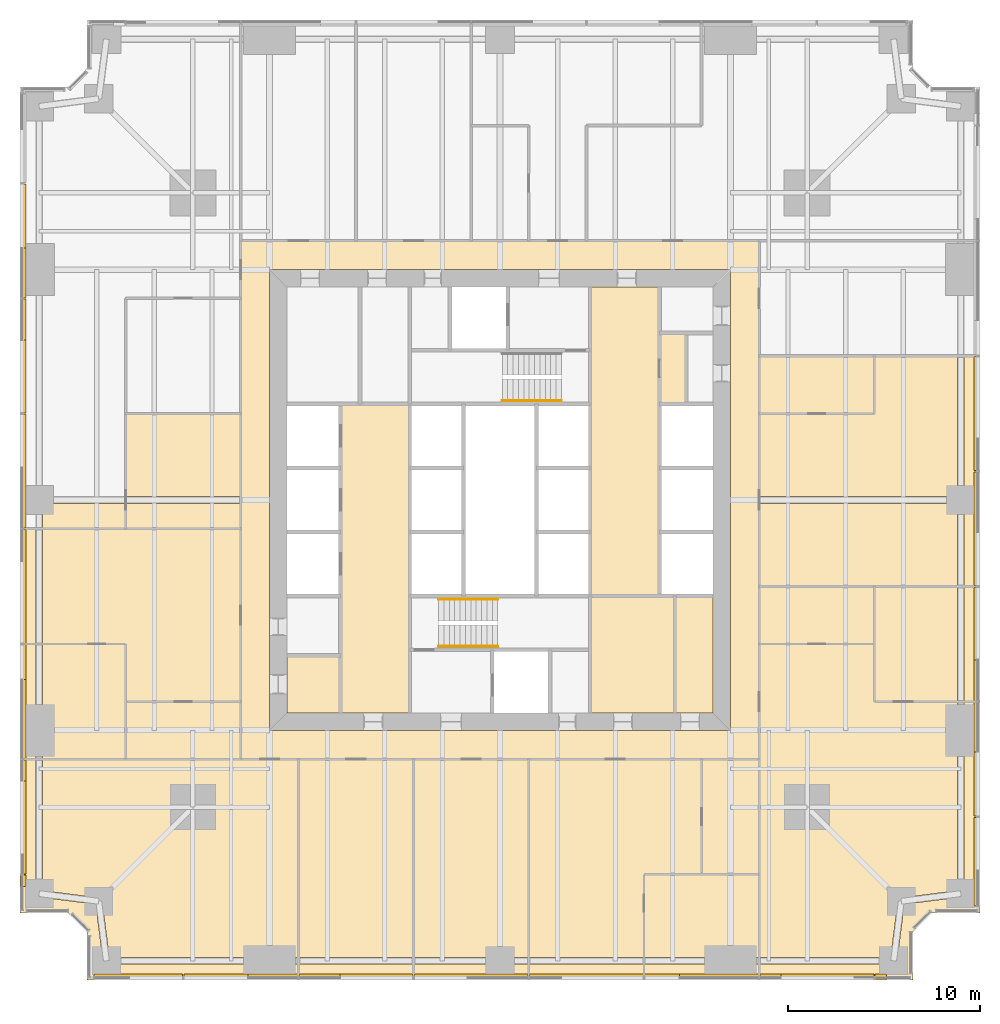
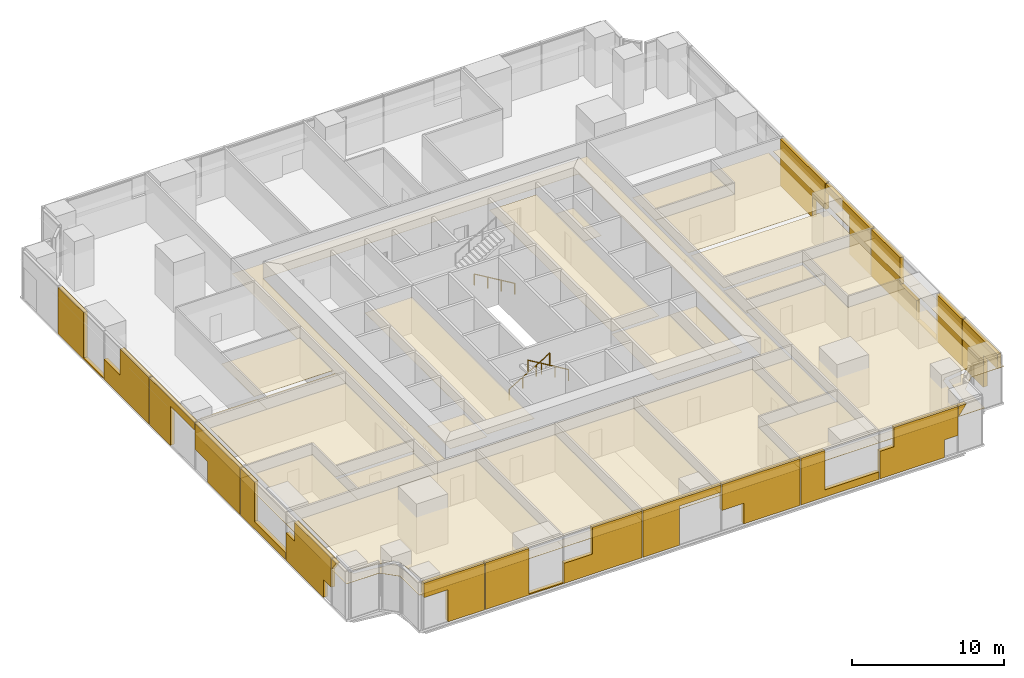
# One storey, part 13 of 14: 55 coverings, 3 railings.
"""IFC4 building model written with IfcOpenShell, lengths in metres."""

from ifc_helpers import new_model, si_unit, direction, frame, origin, origin_2d, place, context, subcontext, project, spatial, polyline, circle, outline, extrude, material, layer, layer_set, type_object, element, save


model = new_model("IFC4")

# Units and contexts
model_context = context("Model", 3, precision=1e-05, world=origin(), true_north=direction((0.0, 1.0)))
body_context = subcontext(model_context, "Body", "Model", "MODEL_VIEW")
ifc_project = project(units=[si_unit("LENGTHUNIT", "METRE"), si_unit("AREAUNIT", "SQUARE_METRE"), si_unit("VOLUMEUNIT", "CUBIC_METRE"), si_unit("PLANEANGLEUNIT", "RADIAN"), si_unit("MASSUNIT", "GRAM", prefix="KILO")], contexts=[model_context])

# Site, building, storey
site_placement = place(None, origin())
site = spatial("IfcSite", under=ifc_project, at=site_placement, CompositionType="ELEMENT")
building_placement = place(site_placement, origin())
building = spatial("IfcBuilding", under=site, at=building_placement, Name="Fenwick Lantern Interchange", CompositionType="ELEMENT")
storey_placement = place(building_placement, frame((0.0, 0.0, 59.0)))
storey = spatial("IfcBuildingStorey", under=building, at=storey_placement, Name="L13", CompositionType="ELEMENT", Elevation=59.0)

# Coverings
ifc_material_1 = material(Name="Mineral fibre acoustic tile on suspended grid")
ifc_layer_1 = layer(ifc_material_1, 0.02001953125)
ifc_layer_set_1 = layer_set([ifc_layer_1], Name="ACOUSTIC TILE CEILING 20")
covering_type_1 = type_object("IfcCoveringType", Name="ACOUSTIC TILE CEILING 20", PredefinedType="CEILING", material=ifc_layer_set_1)
covering_1_placement = place(storey_placement, frame((0.0, 0.0, 2.89990234375)))
element("IfcCovering", 1, at=covering_1_placement, inside=storey, type_object=covering_type_1, Name="Office suite ceiling", PredefinedType="CEILING", context=body_context, shape_type="SweptSolid", body=[
    extrude(outline(polyline([(14.5, 11.5), (1.17236328125, 11.5), (1.17236328125, 4.651611328125), (4.1220703125, 4.27099609375), (4.10009765625, 4.10009765625), (4.27099609375, 4.1220703125), (4.651611328125, 1.17236328125), (13.0, 1.17236328125), (14.5, 1.17236328125), (14.5, 11.5)])), origin(), (0.0, 0.0, 1.0), 0.02001953125),
])
covering_2_placement = place(storey_placement, frame((0.0, 0.0, 2.89990234375)))
element("IfcCovering", 2, at=covering_2_placement, inside=storey, type_object=covering_type_1, Name="Office suite ceiling", PredefinedType="CEILING", context=body_context, shape_type="SweptSolid", body=[
    extrude(outline(polyline([(3.5, 2.5), (3.5, 0.0), (14.5, 0.0), (14.5, 0.82763671875), (13.0, 0.82763671875), (4.5, 0.82763671875), (4.5, 1.0), (4.3291015625, 0.97802734375), (3.946044921875, 3.946044921875), (0.97802734375, 4.3291015625), (1.0, 4.5), (0.82763671875, 4.5), (0.82763671875, 11.5), (0.0, 11.5), (0.0, 3.5), (2.5, 3.5), (3.5, 2.5)])), origin(), (0.0, 0.0, 1.0), 0.02001953125),
])
covering_3_placement = place(storey_placement, frame((0.0, 0.0, 2.89990234375)))
element("IfcCovering", 3, at=covering_3_placement, inside=storey, type_object=covering_type_1, Name="Office suite ceiling", PredefinedType="CEILING", context=body_context, shape_type="SweptSolid", body=[
    extrude(outline(polyline([(14.5, 11.5), (14.5, 1.17236328125), (20.5, 1.17236328125), (20.5, 11.5), (14.5, 11.5)])), origin(), (0.0, 0.0, 1.0), 0.02001953125),
])
covering_4_placement = place(storey_placement, frame((0.0, 0.0, 2.89990234375)))
element("IfcCovering", 4, at=covering_4_placement, inside=storey, type_object=covering_type_1, Name="Office suite ceiling", PredefinedType="CEILING", context=body_context, shape_type="SweptSolid", body=[
    extrude(outline(polyline([(14.5, 0.0), (20.5, 0.0), (20.5, 0.82763671875), (14.5, 0.82763671875), (14.5, 0.0)])), origin(), (0.0, 0.0, 1.0), 0.02001953125),
])
covering_5_placement = place(storey_placement, frame((0.0, 0.0, 2.89990234375)))
element("IfcCovering", 5, at=covering_5_placement, inside=storey, type_object=covering_type_1, Name="Office suite ceiling", PredefinedType="CEILING", context=body_context, shape_type="SweptSolid", body=[
    extrude(outline(polyline([(20.5, 11.5), (20.5, 1.17236328125), (25.0, 1.17236328125), (26.5, 1.17236328125), (26.5, 11.5), (20.5, 11.5)])), origin(), (0.0, 0.0, 1.0), 0.02001953125),
])
covering_6_placement = place(storey_placement, frame((0.0, 0.0, 2.89990234375)))
element("IfcCovering", 6, at=covering_6_placement, inside=storey, type_object=covering_type_1, Name="Office suite ceiling", PredefinedType="CEILING", context=body_context, shape_type="SweptSolid", body=[
    extrude(outline(polyline([(20.5, 0.0), (26.5, 0.0), (26.5, 0.82763671875), (25.0, 0.82763671875), (20.5, 0.82763671875), (20.5, 0.0)])), origin(), (0.0, 0.0, 1.0), 0.02001953125),
])
covering_7_placement = place(storey_placement, frame((0.0, 0.0, 2.89990234375)))
element("IfcCovering", 7, at=covering_7_placement, inside=storey, type_object=covering_type_1, Name="Office suite ceiling", PredefinedType="CEILING", context=body_context, shape_type="SweptSolid", body=[
    extrude(outline(polyline([(26.5, 11.5), (26.5, 1.17236328125), (32.5, 1.17236328125), (32.5, 5.5), (35.5, 5.5), (35.5, 11.5), (26.5, 11.5)])), origin(), (0.0, 0.0, 1.0), 0.02001953125),
])
covering_8_placement = place(storey_placement, frame((0.0, 0.0, 2.89990234375)))
element("IfcCovering", 8, at=covering_8_placement, inside=storey, type_object=covering_type_1, Name="Office suite ceiling", PredefinedType="CEILING", context=body_context, shape_type="SweptSolid", body=[
    extrude(outline(polyline([(26.5, 0.0), (32.5, 0.0), (32.5, 0.82763671875), (26.5, 0.82763671875), (26.5, 0.0)])), origin(), (0.0, 0.0, 1.0), 0.02001953125),
])
covering_9_placement = place(storey_placement, frame((0.0, 0.0, 2.89990234375)))
element("IfcCovering", 9, at=covering_9_placement, inside=storey, type_object=covering_type_1, Name="Office ceiling", PredefinedType="CEILING", context=body_context, shape_type="SweptSolid", body=[
    extrude(outline(polyline([(32.5, 5.5), (32.5, 1.17236328125), (37.0, 1.17236328125), (38.5, 1.17236328125), (38.5, 5.5), (32.5, 5.5)])), origin(), (0.0, 0.0, 1.0), 0.02001953125),
])
covering_10_placement = place(storey_placement, frame((0.0, 0.0, 2.89990234375)))
element("IfcCovering", 10, at=covering_10_placement, inside=storey, type_object=covering_type_1, Name="Office ceiling", PredefinedType="CEILING", context=body_context, shape_type="SweptSolid", body=[
    extrude(outline(polyline([(38.5, 0.0), (38.5, 0.82763671875), (37.0, 0.82763671875), (32.5, 0.82763671875), (32.5, 0.0), (38.5, 0.0)])), origin(), (0.0, 0.0, 1.0), 0.02001953125),
])
covering_11_placement = place(storey_placement, frame((0.0, 0.0, 2.89990234375)))
element("IfcCovering", 11, at=covering_11_placement, inside=storey, type_object=covering_type_1, Name="Office suite ceiling", PredefinedType="CEILING", context=body_context, shape_type="SweptSolid", body=[
    extrude(outline(polyline([(38.5, 17.5), (38.5, 1.17236328125), (45.348388671875, 1.17236328125), (45.72900390625, 4.1220703125), (45.89990234375, 4.10009765625), (45.8779296875, 4.27099609375), (48.82763671875, 4.651611328125), (48.82763671875, 13.0), (48.82763671875, 14.5), (44.5, 14.5), (44.5, 17.5), (38.5, 17.5)])), origin(), (0.0, 0.0, 1.0), 0.02001953125),
])
covering_12_placement = place(storey_placement, frame((0.0, 0.0, 2.89990234375)))
element("IfcCovering", 12, at=covering_12_placement, inside=storey, type_object=covering_type_1, Name="Office suite ceiling", PredefinedType="CEILING", context=body_context, shape_type="SweptSolid", body=[
    extrude(outline(polyline([(46.5, 2.5), (47.5, 3.5), (50.0, 3.5), (50.0, 14.5), (49.17236328125, 14.5), (49.17236328125, 13.0), (49.17236328125, 4.5), (49.0, 4.5), (49.02197265625, 4.3291015625), (46.053955078125, 3.946044921875), (45.6708984375, 0.97802734375), (45.5, 1.0), (45.5, 0.82763671875), (38.5, 0.82763671875), (38.5, 0.0), (46.5, 0.0), (46.5, 2.5)])), origin(), (0.0, 0.0, 1.0), 0.02001953125),
])
covering_13_placement = place(storey_placement, frame((0.0, 0.0, 2.89990234375)))
element("IfcCovering", 13, at=covering_13_placement, inside=storey, type_object=covering_type_1, Name="Meeting room ceiling", PredefinedType="CEILING", context=body_context, shape_type="SweptSolid", body=[
    extrude(outline(polyline([(44.5, 14.5), (48.82763671875, 14.5), (48.82763671875, 20.5), (44.5, 20.5), (44.5, 14.5)])), origin(), (0.0, 0.0, 1.0), 0.02001953125),
])
covering_14_placement = place(storey_placement, frame((0.0, 0.0, 2.89990234375)))
element("IfcCovering", 14, at=covering_14_placement, inside=storey, type_object=covering_type_1, Name="Meeting room ceiling", PredefinedType="CEILING", context=body_context, shape_type="SweptSolid", body=[
    extrude(outline(polyline([(50.0, 20.5), (49.17236328125, 20.5), (49.17236328125, 14.5), (50.0, 14.5), (50.0, 20.5)])), origin(), (0.0, 0.0, 1.0), 0.02001953125),
])
covering_15_placement = place(storey_placement, frame((0.0, 0.0, 2.89990234375)))
element("IfcCovering", 15, at=covering_15_placement, inside=storey, type_object=covering_type_1, Name="Office suite ceiling", PredefinedType="CEILING", context=body_context, shape_type="SweptSolid", body=[
    extrude(outline(polyline([(38.5, 29.5), (38.5, 25.175048828125), (48.82763671875, 25.175048828125), (48.82763671875, 32.5), (44.5, 32.5), (44.5, 29.5), (38.5, 29.5)])), origin(), (0.0, 0.0, 1.0), 0.02001953125),
])
covering_16_placement = place(storey_placement, frame((0.0, 0.0, 2.89990234375)))
element("IfcCovering", 16, at=covering_16_placement, inside=storey, type_object=covering_type_1, Name="Office suite ceiling", PredefinedType="CEILING", context=body_context, shape_type="SweptSolid", body=[
    extrude(outline(polyline([(38.5, 20.5), (48.82763671875, 20.5), (48.82763671875, 24.824951171875), (38.5, 24.824951171875), (38.5, 20.5)])), origin(), (0.0, 0.0, 1.0), 0.02001953125),
])
covering_17_placement = place(storey_placement, frame((0.0, 0.0, 2.89990234375)))
element("IfcCovering", 17, at=covering_17_placement, inside=storey, type_object=covering_type_1, Name="Office suite ceiling", PredefinedType="CEILING", context=body_context, shape_type="SweptSolid", body=[
    extrude(outline(polyline([(49.17236328125, 20.5), (50.0, 20.5), (50.0, 32.5), (49.17236328125, 32.5), (49.17236328125, 25.0), (49.17236328125, 20.5)])), origin(), (0.0, 0.0, 1.0), 0.02001953125),
])
covering_18_placement = place(storey_placement, frame((0.0, 0.0, 2.89990234375)))
element("IfcCovering", 18, at=covering_18_placement, inside=storey, type_object=covering_type_1, Name="Office ceiling", PredefinedType="CEILING", context=body_context, shape_type="SweptSolid", body=[
    extrude(outline(polyline([(44.5, 29.5), (44.5, 32.5), (38.5, 32.5), (38.5, 29.5), (44.5, 29.5)])), origin(), (0.0, 0.0, 1.0), 0.02001953125),
])
covering_19_placement = place(storey_placement, frame((0.0, 0.0, 2.89990234375)))
element("IfcCovering", 19, at=covering_19_placement, inside=storey, type_object=covering_type_1, Name="Office suite ceiling", PredefinedType="CEILING", context=body_context, shape_type="SweptSolid", body=[
    extrude(outline(polyline([(5.5, 23.5), (5.5, 24.824951171875), (1.17236328125, 24.824951171875), (1.17236328125, 23.5), (5.5, 23.5)])), origin(), (0.0, 0.0, 1.0), 0.02001953125),
])
covering_20_placement = place(storey_placement, frame((0.0, 0.0, 2.89990234375)))
element("IfcCovering", 20, at=covering_20_placement, inside=storey, type_object=covering_type_1, Name="Meeting room ceiling", PredefinedType="CEILING", context=body_context, shape_type="SweptSolid", body=[
    extrude(outline(polyline([(11.5, 29.5), (5.5, 29.5), (5.5, 25.175048828125), (11.5, 25.175048828125), (11.5, 29.5)])), origin(), (0.0, 0.0, 1.0), 0.02001953125),
])
covering_21_placement = place(storey_placement, frame((0.0, 0.0, 2.89990234375)))
element("IfcCovering", 21, at=covering_21_placement, inside=storey, type_object=covering_type_1, Name="Meeting room ceiling", PredefinedType="CEILING", context=body_context, shape_type="SweptSolid", body=[
    extrude(outline(polyline([(11.5, 23.5), (11.5, 24.824951171875), (5.5, 24.824951171875), (5.5, 23.5), (11.5, 23.5)])), origin(), (0.0, 0.0, 1.0), 0.02001953125),
])
covering_22_placement = place(storey_placement, frame((0.0, 0.0, 2.89990234375)))
element("IfcCovering", 22, at=covering_22_placement, inside=storey, type_object=covering_type_1, Name="Office suite ceiling", PredefinedType="CEILING", context=body_context, shape_type="SweptSolid", body=[
    extrude(outline(polyline([(11.5, 23.5), (1.17236328125, 23.5), (1.17236328125, 17.5), (5.5, 17.5), (5.5, 14.5), (11.5, 14.5), (11.5, 23.5)])), origin(), (0.0, 0.0, 1.0), 0.02001953125),
])
covering_23_placement = place(storey_placement, frame((0.0, 0.0, 2.89990234375)))
element("IfcCovering", 23, at=covering_23_placement, inside=storey, type_object=covering_type_1, Name="Office suite ceiling", PredefinedType="CEILING", context=body_context, shape_type="SweptSolid", body=[
    extrude(outline(polyline([(0.0, 23.5), (0.0, 17.5), (0.82763671875, 17.5), (0.82763671875, 23.5), (0.0, 23.5)])), origin(), (0.0, 0.0, 1.0), 0.02001953125),
])
covering_24_placement = place(storey_placement, frame((0.0, 0.0, 2.89990234375)))
element("IfcCovering", 24, at=covering_24_placement, inside=storey, type_object=covering_type_1, Name="Office ceiling", PredefinedType="CEILING", context=body_context, shape_type="SweptSolid", body=[
    extrude(outline(polyline([(5.5, 17.5), (1.17236328125, 17.5), (1.17236328125, 13.0), (1.17236328125, 11.5), (5.5, 11.5), (5.5, 17.5)])), origin(), (0.0, 0.0, 1.0), 0.02001953125),
])
covering_25_placement = place(storey_placement, frame((0.0, 0.0, 2.89990234375)))
element("IfcCovering", 25, at=covering_25_placement, inside=storey, type_object=covering_type_1, Name="Office ceiling", PredefinedType="CEILING", context=body_context, shape_type="SweptSolid", body=[
    extrude(outline(polyline([(0.0, 11.5), (0.82763671875, 11.5), (0.82763671875, 13.0), (0.82763671875, 17.5), (0.0, 17.5), (0.0, 11.5)])), origin(), (0.0, 0.0, 1.0), 0.02001953125),
])
ifc_material_2 = material(Name="Granite cladding, warm grey flamed finish, on aluminium carrier frame", Category="masonry")
ifc_layer_2 = layer(ifc_material_2, 0.300048828125)
ifc_layer_set_2 = layer_set([ifc_layer_2], Name="BRACE CASING PANEL 300")
covering_type_2 = type_object("IfcCoveringType", Name="BRACE CASING PANEL 300", PredefinedType="CLADDING", material=ifc_layer_set_2)
covering_26_placement = place(storey_placement, frame((3.60009765625, 0.10009765625, 0.0), z_axis=(0.0, 0.0, 1.0), x_axis=(1.0, 0.0, 0.0)))
element("IfcCovering", 26, at=covering_26_placement, inside=storey, type_object=covering_type_2, Name="Brace casing 01 bay 00a", PredefinedType="CLADDING", context=body_context, shape_type="SweptSolid", body=[
    extrude(outline(polyline([(2.10009765625, 0.0), (4.867431640625, 0.0), (4.867431640625, 3.75), (0.264892578125, 3.75), (0.264892578125, 2.585693359375), (2.10009765625, 2.585693359375), (2.10009765625, 0.0)])), frame((0.0, 0.2001953125, 0.0), z_axis=(0.0, -1.0, 0.0), x_axis=(1.0, 0.0, 0.0)), (0.0, 0.0, 1.0), 0.300048828125),
])
covering_27_placement = place(storey_placement, frame((3.60009765625, 0.10009765625, 0.0), z_axis=(0.0, 0.0, 1.0), x_axis=(1.0, 0.0, 0.0)))
element("IfcCovering", 27, at=covering_27_placement, inside=storey, type_object=covering_type_2, Name="Brace casing 01 bay 01a", PredefinedType="CLADDING", context=body_context, shape_type="SweptSolid", body=[
    extrude(outline(polyline([(4.9326171875, 0.0), (10.867431640625, 0.0), (10.867431640625, 0.093505859375), (8.27685546875, 0.093505859375), (8.27685546875, 3.75), (4.9326171875, 3.75), (4.9326171875, 0.0)])), frame((0.0, 0.2001953125, 0.0), z_axis=(0.0, -1.0, 0.0), x_axis=(1.0, 0.0, 0.0)), (0.0, 0.0, 1.0), 0.300048828125),
])
covering_28_placement = place(storey_placement, frame((3.60009765625, 0.10009765625, 0.0), z_axis=(0.0, 0.0, 1.0), x_axis=(1.0, 0.0, 0.0)))
element("IfcCovering", 28, at=covering_28_placement, inside=storey, type_object=covering_type_2, Name="Brace casing 01 bay 02a", PredefinedType="CLADDING", context=body_context, shape_type="SweptSolid", body=[
    extrude(outline(polyline([(10.9326171875, 0.0), (16.867431640625, 0.0), (16.867431640625, 3.75), (13.072509765625, 3.75), (13.072509765625, 1.612060546875), (10.9326171875, 1.612060546875), (10.9326171875, 0.0)])), frame((0.0, 0.2001953125, 0.0), z_axis=(0.0, -1.0, 0.0), x_axis=(1.0, 0.0, 0.0)), (0.0, 0.0, 1.0), 0.300048828125),
])
covering_29_placement = place(storey_placement, frame((3.60009765625, 0.10009765625, 0.0), z_axis=(0.0, 0.0, 1.0), x_axis=(1.0, 0.0, 0.0)))
element("IfcCovering", 29, at=covering_29_placement, inside=storey, type_object=covering_type_2, Name="Brace casing 01 bay 03a", PredefinedType="CLADDING", context=body_context, shape_type="SweptSolid", body=[
    extrude(outline(polyline([(16.9326171875, 0.0), (19.70751953125, 0.0), (19.70751953125, 3.156005859375), (22.867431640625, 3.156005859375), (22.867431640625, 3.75), (16.9326171875, 3.75), (16.9326171875, 0.0)])), frame((0.0, 0.2001953125, 0.0), z_axis=(0.0, -1.0, 0.0), x_axis=(1.0, 0.0, 0.0)), (0.0, 0.0, 1.0), 0.300048828125),
])
covering_30_placement = place(storey_placement, frame((3.60009765625, 0.10009765625, 0.0), z_axis=(0.0, 0.0, 1.0), x_axis=(1.0, 0.0, 0.0)))
element("IfcCovering", 30, at=covering_30_placement, inside=storey, type_object=covering_type_2, Name="Brace casing 01 bay 04a", PredefinedType="CLADDING", context=body_context, shape_type="SweptSolid", body=[
    extrude(outline(polyline([(24.592529296875, 0.0), (28.867431640625, 0.0), (28.867431640625, 3.75), (22.9326171875, 3.75), (22.9326171875, 1.656005859375), (24.592529296875, 1.656005859375), (24.592529296875, 0.0)])), frame((0.0, 0.2001953125, 0.0), z_axis=(0.0, -1.0, 0.0), x_axis=(1.0, 0.0, 0.0)), (0.0, 0.0, 1.0), 0.300048828125),
])
covering_31_placement = place(storey_placement, frame((3.60009765625, 0.10009765625, 0.0), z_axis=(0.0, 0.0, 1.0), x_axis=(1.0, 0.0, 0.0)))
element("IfcCovering", 31, at=covering_31_placement, inside=storey, type_object=covering_type_2, Name="Brace casing 01 bay 05a", PredefinedType="CLADDING", context=body_context, shape_type="SweptSolid", body=[
    extrude(outline(polyline([(28.9326171875, 0.0), (34.867431640625, 0.0), (34.867431640625, 0.58203125), (30.757568359375, 0.58203125), (30.757568359375, 3.75), (28.9326171875, 3.75), (28.9326171875, 0.0)])), frame((0.0, 0.2001953125, 0.0), z_axis=(0.0, -1.0, 0.0), x_axis=(1.0, 0.0, 0.0)), (0.0, 0.0, 1.0), 0.300048828125),
])
covering_32_placement = place(storey_placement, frame((3.60009765625, 0.10009765625, 0.0), z_axis=(0.0, 0.0, 1.0), x_axis=(1.0, 0.0, 0.0)))
element("IfcCovering", 32, at=covering_32_placement, inside=storey, type_object=covering_type_2, Name="Brace casing 01 bay 06a", PredefinedType="CLADDING", context=body_context, shape_type="SweptSolid", body=[
    extrude(outline(polyline([(34.9326171875, 0.0), (39.868408203125, 0.0), (39.868408203125, 1.411865234375), (40.867431640625, 1.411865234375), (40.867431640625, 3.75), (36.0224609375, 3.75), (36.0224609375, 2.21044921875), (34.9326171875, 2.21044921875), (34.9326171875, 0.0)])), frame((0.0, 0.2001953125, 0.0), z_axis=(0.0, -1.0, 0.0), x_axis=(1.0, 0.0, 0.0)), (0.0, 0.0, 1.0), 0.300048828125),
])
covering_33_placement = place(storey_placement, frame((3.60009765625, 0.10009765625, 2.9140625), z_axis=(0.0, 0.0, 1.0), x_axis=(1.0, 0.0, 0.0)))
element("IfcCovering", 33, at=covering_33_placement, inside=storey, type_object=covering_type_2, Name="Brace casing 01 bay 07a", PredefinedType="CLADDING", context=body_context, shape_type="SweptSolid", body=[
    extrude(outline(polyline([(40.9326171875, 0.0), (41.524658203125, 0.8359375), (40.9326171875, 0.8359375), (40.9326171875, 0.0)])), frame((0.0, 0.2001953125, 0.0), z_axis=(0.0, -1.0, 0.0), x_axis=(1.0, 0.0, 0.0)), (0.0, 0.0, 1.0), 0.300048828125),
])
covering_34_placement = place(storey_placement, frame((49.89990234375, 3.60009765625, 0.0), z_axis=(0.0, 0.0, 1.0), x_axis=(0.0, 1.0, 0.0)))
element("IfcCovering", 34, at=covering_34_placement, inside=storey, type_object=covering_type_2, Name="Brace casing 05 bay 00a", PredefinedType="CLADDING", context=body_context, shape_type="SweptSolid", body=[
    extrude(outline(polyline([(2.10009765625, 0.0), (4.867431640625, 0.0), (4.867431640625, 3.75), (0.264892578125, 3.75), (0.264892578125, 2.585693359375), (2.10009765625, 2.585693359375), (2.10009765625, 0.0)])), frame((0.0, 0.2001953125, 0.0), z_axis=(0.0, -1.0, 0.0), x_axis=(1.0, 0.0, 0.0)), (0.0, 0.0, 1.0), 0.300048828125),
])
covering_35_placement = place(storey_placement, frame((49.89990234375, 3.60009765625, 0.0), z_axis=(0.0, 0.0, 1.0), x_axis=(0.0, 1.0, 0.0)))
element("IfcCovering", 35, at=covering_35_placement, inside=storey, type_object=covering_type_2, Name="Brace casing 05 bay 01a", PredefinedType="CLADDING", context=body_context, shape_type="SweptSolid", body=[
    extrude(outline(polyline([(4.9326171875, 0.0), (10.867431640625, 0.0), (10.867431640625, 0.093505859375), (8.27685546875, 0.093505859375), (8.27685546875, 3.75), (4.9326171875, 3.75), (4.9326171875, 0.0)])), frame((0.0, 0.2001953125, 0.0), z_axis=(0.0, -1.0, 0.0), x_axis=(1.0, 0.0, 0.0)), (0.0, 0.0, 1.0), 0.300048828125),
])
covering_36_placement = place(storey_placement, frame((49.89990234375, 3.60009765625, 0.0), z_axis=(0.0, 0.0, 1.0), x_axis=(0.0, 1.0, 0.0)))
element("IfcCovering", 36, at=covering_36_placement, inside=storey, type_object=covering_type_2, Name="Brace casing 05 bay 02a", PredefinedType="CLADDING", context=body_context, shape_type="SweptSolid", body=[
    extrude(outline(polyline([(10.9326171875, 0.0), (16.867431640625, 0.0), (16.867431640625, 3.75), (13.072509765625, 3.75), (13.072509765625, 1.612060546875), (10.9326171875, 1.612060546875), (10.9326171875, 0.0)])), frame((0.0, 0.2001953125, 0.0), z_axis=(0.0, -1.0, 0.0), x_axis=(1.0, 0.0, 0.0)), (0.0, 0.0, 1.0), 0.300048828125),
])
covering_37_placement = place(storey_placement, frame((49.89990234375, 3.60009765625, 0.0), z_axis=(0.0, 0.0, 1.0), x_axis=(0.0, 1.0, 0.0)))
element("IfcCovering", 37, at=covering_37_placement, inside=storey, type_object=covering_type_2, Name="Brace casing 05 bay 03a", PredefinedType="CLADDING", context=body_context, shape_type="SweptSolid", body=[
    extrude(outline(polyline([(16.9326171875, 0.0), (19.70751953125, 0.0), (19.70751953125, 3.156005859375), (22.867431640625, 3.156005859375), (22.867431640625, 3.75), (16.9326171875, 3.75), (16.9326171875, 0.0)])), frame((0.0, 0.2001953125, 0.0), z_axis=(0.0, -1.0, 0.0), x_axis=(1.0, 0.0, 0.0)), (0.0, 0.0, 1.0), 0.300048828125),
])
covering_38_placement = place(storey_placement, frame((49.89990234375, 3.60009765625, 0.0), z_axis=(0.0, 0.0, 1.0), x_axis=(0.0, 1.0, 0.0)))
element("IfcCovering", 38, at=covering_38_placement, inside=storey, type_object=covering_type_2, Name="Brace casing 05 bay 04a", PredefinedType="CLADDING", context=body_context, shape_type="SweptSolid", body=[
    extrude(outline(polyline([(24.592529296875, 0.0), (28.867431640625, 0.0), (28.867431640625, 3.75), (22.9326171875, 3.75), (22.9326171875, 1.656005859375), (24.592529296875, 1.656005859375), (24.592529296875, 0.0)])), frame((0.0, 0.2001953125, 0.0), z_axis=(0.0, -1.0, 0.0), x_axis=(1.0, 0.0, 0.0)), (0.0, 0.0, 1.0), 0.300048828125),
])
covering_39_placement = place(storey_placement, frame((0.10009765625, 46.39990234375, 0.0), z_axis=(0.0, 0.0, 1.0), x_axis=(0.0, -1.0, 0.0)))
element("IfcCovering", 39, at=covering_39_placement, inside=storey, type_object=covering_type_2, Name="Brace casing 13 bay 01a", PredefinedType="CLADDING", context=body_context, shape_type="SweptSolid", body=[
    extrude(outline(polyline([(4.9326171875, 0.0), (10.867431640625, 0.0), (10.867431640625, 0.093505859375), (8.27685546875, 0.093505859375), (8.27685546875, 3.75), (4.9326171875, 3.75), (4.9326171875, 0.0)])), frame((0.0, 0.2001953125, 0.0), z_axis=(0.0, -1.0, 0.0), x_axis=(1.0, 0.0, 0.0)), (0.0, 0.0, 1.0), 0.300048828125),
])
covering_40_placement = place(storey_placement, frame((0.10009765625, 46.39990234375, 0.0), z_axis=(0.0, 0.0, 1.0), x_axis=(0.0, -1.0, 0.0)))
element("IfcCovering", 40, at=covering_40_placement, inside=storey, type_object=covering_type_2, Name="Brace casing 13 bay 02a", PredefinedType="CLADDING", context=body_context, shape_type="SweptSolid", body=[
    extrude(outline(polyline([(10.9326171875, 0.0), (16.867431640625, 0.0), (16.867431640625, 3.75), (13.072509765625, 3.75), (13.072509765625, 1.612060546875), (10.9326171875, 1.612060546875), (10.9326171875, 0.0)])), frame((0.0, 0.2001953125, 0.0), z_axis=(0.0, -1.0, 0.0), x_axis=(1.0, 0.0, 0.0)), (0.0, 0.0, 1.0), 0.300048828125),
])
covering_41_placement = place(storey_placement, frame((0.10009765625, 46.39990234375, 0.0), z_axis=(0.0, 0.0, 1.0), x_axis=(0.0, -1.0, 0.0)))
element("IfcCovering", 41, at=covering_41_placement, inside=storey, type_object=covering_type_2, Name="Brace casing 13 bay 03a", PredefinedType="CLADDING", context=body_context, shape_type="SweptSolid", body=[
    extrude(outline(polyline([(16.9326171875, 0.0), (19.70751953125, 0.0), (19.70751953125, 3.156005859375), (22.867431640625, 3.156005859375), (22.867431640625, 3.75), (16.9326171875, 3.75), (16.9326171875, 0.0)])), frame((0.0, 0.2001953125, 0.0), z_axis=(0.0, -1.0, 0.0), x_axis=(1.0, 0.0, 0.0)), (0.0, 0.0, 1.0), 0.300048828125),
])
covering_42_placement = place(storey_placement, frame((0.10009765625, 46.39990234375, 0.0), z_axis=(0.0, 0.0, 1.0), x_axis=(0.0, -1.0, 0.0)))
element("IfcCovering", 42, at=covering_42_placement, inside=storey, type_object=covering_type_2, Name="Brace casing 13 bay 04a", PredefinedType="CLADDING", context=body_context, shape_type="SweptSolid", body=[
    extrude(outline(polyline([(24.592529296875, 0.0), (28.867431640625, 0.0), (28.867431640625, 3.75), (22.9326171875, 3.75), (22.9326171875, 1.656005859375), (24.592529296875, 1.656005859375), (24.592529296875, 0.0)])), frame((0.0, 0.2001953125, 0.0), z_axis=(0.0, -1.0, 0.0), x_axis=(1.0, 0.0, 0.0)), (0.0, 0.0, 1.0), 0.300048828125),
])
covering_43_placement = place(storey_placement, frame((0.10009765625, 46.39990234375, 0.0), z_axis=(0.0, 0.0, 1.0), x_axis=(0.0, -1.0, 0.0)))
element("IfcCovering", 43, at=covering_43_placement, inside=storey, type_object=covering_type_2, Name="Brace casing 13 bay 05a", PredefinedType="CLADDING", context=body_context, shape_type="SweptSolid", body=[
    extrude(outline(polyline([(28.9326171875, 0.0), (34.867431640625, 0.0), (34.867431640625, 0.58203125), (30.757568359375, 0.58203125), (30.757568359375, 3.75), (28.9326171875, 3.75), (28.9326171875, 0.0)])), frame((0.0, 0.2001953125, 0.0), z_axis=(0.0, -1.0, 0.0), x_axis=(1.0, 0.0, 0.0)), (0.0, 0.0, 1.0), 0.300048828125),
])
covering_44_placement = place(storey_placement, frame((0.10009765625, 46.39990234375, 0.0), z_axis=(0.0, 0.0, 1.0), x_axis=(0.0, -1.0, 0.0)))
element("IfcCovering", 44, at=covering_44_placement, inside=storey, type_object=covering_type_2, Name="Brace casing 13 bay 06a", PredefinedType="CLADDING", context=body_context, shape_type="SweptSolid", body=[
    extrude(outline(polyline([(34.9326171875, 0.0), (39.868408203125, 0.0), (39.868408203125, 1.411865234375), (40.867431640625, 1.411865234375), (40.867431640625, 3.75), (36.0224609375, 3.75), (36.0224609375, 2.21044921875), (34.9326171875, 2.21044921875), (34.9326171875, 0.0)])), frame((0.0, 0.2001953125, 0.0), z_axis=(0.0, -1.0, 0.0), x_axis=(1.0, 0.0, 0.0)), (0.0, 0.0, 1.0), 0.300048828125),
])
covering_45_placement = place(storey_placement, frame((0.10009765625, 46.39990234375, 2.9140625), z_axis=(0.0, 0.0, 1.0), x_axis=(0.0, -1.0, 0.0)))
element("IfcCovering", 45, at=covering_45_placement, inside=storey, type_object=covering_type_2, Name="Brace casing 13 bay 07a", PredefinedType="CLADDING", context=body_context, shape_type="SweptSolid", body=[
    extrude(outline(polyline([(40.9326171875, 0.0), (41.524658203125, 0.8359375), (40.9326171875, 0.8359375), (40.9326171875, 0.0)])), frame((0.0, 0.2001953125, 0.0), z_axis=(0.0, -1.0, 0.0), x_axis=(1.0, 0.0, 0.0)), (0.0, 0.0, 1.0), 0.300048828125),
])

# Railings
ifc_material_3 = material(Name="Stainless steel handrail", Category="steel")
railing_type = type_object("IfcRailingType", Name="HANDRAIL 900", PredefinedType="HANDRAIL", material=ifc_material_3)
railing_placement = place(storey_placement, frame((21.800048828125, 19.825927734375, 0.166748046875)))
element("IfcRailing", 46, at=railing_placement, inside=storey, type_object=railing_type, Name="L13/STAIR/ST1/HR1", PredefinedType="HANDRAIL", context=body_context, shape_type="SweptSolid", body=[
    extrude(circle(Radius=0.02392578125, at=origin_2d()), frame((0.0, 0.0, 0.8759765625), z_axis=(0.859290745958, 0.0, 0.51148745235), x_axis=(0.0, 1.0, 0.0)), (0.0, 0.0, 1.0), 3.584228515625),
    extrude(circle(Radius=0.02099609375, at=origin_2d()), origin(), (0.0, 0.0, 1.0), 0.851806640625),
    extrude(circle(Radius=0.02099609375, at=origin_2d()), frame((1.026611328125, 0.0, 0.611083984375)), (0.0, 0.0, 1.0), 0.851806640625),
    extrude(circle(Radius=0.02099609375, at=origin_2d()), frame((2.05322265625, 0.0, 1.22216796875)), (0.0, 0.0, 1.0), 0.851806640625),
    extrude(circle(Radius=0.02099609375, at=origin_2d()), frame((3.079833984375, 0.0, 1.833251953125)), (0.0, 0.0, 1.0), 0.851806640625),
])
for number, where, name in (
    (47, (24.8798828125, 17.3740234375, 2.166748046875), "L13/STAIR/ST1/HR2"),
    (48, (28.199951171875, 30.174072265625, 0.166748046875), "L13/STAIR/ST2/HR1"),
):
    element("IfcRailing", number, at=place(storey_placement, frame(where)), inside=storey, type_object=railing_type, Name=name, PredefinedType="HANDRAIL", context=body_context, shape_type="SweptSolid", body=[
        extrude(circle(Radius=0.02392578125, at=origin_2d()), frame((0.0, 0.0, 0.8759765625), z_axis=(-0.859290745958, 0.0, 0.51148745235), x_axis=(0.0, -1.0, 0.0)), (0.0, 0.0, 1.0), 3.584228515625),
        extrude(circle(Radius=0.02099609375, at=origin_2d()), origin(), (0.0, 0.0, 1.0), 0.851806640625),
        extrude(circle(Radius=0.02099609375, at=origin_2d()), frame((-1.026611328125, 0.0, 0.611083984375)), (0.0, 0.0, 1.0), 0.851806640625),
        extrude(circle(Radius=0.02099609375, at=origin_2d()), frame((-2.05322265625, 0.0, 1.22216796875)), (0.0, 0.0, 1.0), 0.851806640625),
        extrude(circle(Radius=0.02099609375, at=origin_2d()), frame((-3.079833984375, 0.0, 1.833251953125)), (0.0, 0.0, 1.0), 0.851806640625),
    ])

# Coverings
ifc_material_4 = material(Name="Moisture resistant gypsum board on suspended frame, painted")
ifc_layer_3 = layer(ifc_material_4, 0.014892578125)
ifc_layer_set_3 = layer_set([ifc_layer_3], Name="MOISTURE RESISTANT CEILING 15")
covering_type_3 = type_object("IfcCoveringType", Name="MOISTURE RESISTANT CEILING 15", PredefinedType="CEILING", material=ifc_layer_set_3)
covering_46_placement = place(storey_placement, frame((0.0, 0.0, 2.60009765625)))
element("IfcCovering", 49, at=covering_46_placement, inside=storey, type_object=covering_type_3, Name="Women's WC ceiling", PredefinedType="CEILING", context=body_context, shape_type="SweptSolid", body=[
    extrude(outline(polyline([(29.699951171875, 13.89990234375), (34.10009765625, 13.89990234375), (34.10009765625, 20.0), (29.699951171875, 20.0), (29.699951171875, 13.89990234375)])), origin(), (0.0, 0.0, 1.0), 0.014892578125),
])
covering_47_placement = place(storey_placement, frame((0.0, 0.0, 2.60009765625)))
element("IfcCovering", 50, at=covering_47_placement, inside=storey, type_object=covering_type_3, Name="Men's WC ceiling", PredefinedType="CEILING", context=body_context, shape_type="SweptSolid", body=[
    extrude(outline(polyline([(34.10009765625, 13.89990234375), (36.10009765625, 13.89990234375), (36.10009765625, 20.0), (34.10009765625, 20.0), (34.10009765625, 13.89990234375)])), origin(), (0.0, 0.0, 1.0), 0.014892578125),
])
covering_48_placement = place(storey_placement, frame((0.0, 0.0, 2.60009765625)))
element("IfcCovering", 51, at=covering_48_placement, inside=storey, type_object=covering_type_3, Name="Accessible WC ceiling", PredefinedType="CEILING", context=body_context, shape_type="SweptSolid", body=[
    extrude(outline(polyline([(13.89990234375, 13.89990234375), (16.699951171875, 13.89990234375), (16.699951171875, 16.89990234375), (13.89990234375, 16.89990234375), (13.89990234375, 13.89990234375)])), origin(), (0.0, 0.0, 1.0), 0.014892578125),
])
covering_49_placement = place(storey_placement, frame((0.0, 0.0, 2.699951171875)))
element("IfcCovering", 52, at=covering_49_placement, inside=storey, type_object=covering_type_3, Name="Pantry store ceiling", PredefinedType="CEILING", context=body_context, shape_type="SweptSolid", body=[
    extrude(outline(polyline([(34.699951171875, 33.699951171875), (33.300048828125, 33.699951171875), (33.300048828125, 30.0), (34.699951171875, 30.0), (34.699951171875, 33.699951171875)])), origin(), (0.0, 0.0, 1.0), 0.01513671875),
])
covering_50_placement = place(storey_placement, frame((0.0, 0.0, 2.699951171875)))
element("IfcCovering", 53, at=covering_50_placement, inside=storey, type_object=covering_type_3, Name="Pantry ceiling", PredefinedType="CEILING", context=body_context, shape_type="SweptSolid", body=[
    extrude(outline(polyline([(35.5, 5.5), (38.5, 5.5), (38.5, 11.5), (35.5, 11.5), (35.5, 5.5)])), origin(), (0.0, 0.0, 1.0), 0.01513671875),
])
covering_51_placement = place(storey_placement, frame((0.0, 0.0, 2.699951171875)))
element("IfcCovering", 54, at=covering_51_placement, inside=storey, type_object=covering_type_3, Name="Pantry ceiling", PredefinedType="CEILING", context=body_context, shape_type="SweptSolid", body=[
    extrude(outline(polyline([(44.5, 17.5), (44.5, 20.5), (38.5, 20.5), (38.5, 17.5), (44.5, 17.5)])), origin(), (0.0, 0.0, 1.0), 0.01513671875),
])
covering_52_placement = place(storey_placement, frame((0.0, 0.0, 2.699951171875)))
element("IfcCovering", 55, at=covering_52_placement, inside=storey, type_object=covering_type_3, Name="Pantry ceiling", PredefinedType="CEILING", context=body_context, shape_type="SweptSolid", body=[
    extrude(outline(polyline([(5.5, 14.5), (5.5, 11.5), (11.5, 11.5), (11.5, 14.5), (5.5, 14.5)])), origin(), (0.0, 0.0, 1.0), 0.01513671875),
])
ifc_material_5 = material(Name="Gypsum plasterboard on suspended frame, painted")
ifc_layer_4 = layer(ifc_material_5, 0.014892578125)
ifc_layer_set_4 = layer_set([ifc_layer_4], Name="PLASTERBOARD CEILING 15")
covering_type_4 = type_object("IfcCoveringType", Name="PLASTERBOARD CEILING 15", PredefinedType="CEILING", material=ifc_layer_set_4)
covering_53_placement = place(storey_placement, frame((0.0, 0.0, 2.800048828125)))
element("IfcCovering", 56, at=covering_53_placement, inside=storey, type_object=covering_type_4, Name="Lift lobby ceiling", PredefinedType="CEILING", context=body_context, shape_type="SweptSolid", body=[
    extrude(outline(polyline([(16.699951171875, 13.89990234375), (20.300048828125, 13.89990234375), (20.300048828125, 30.0), (16.699951171875, 30.0), (16.699951171875, 13.89990234375)])), origin(), (0.0, 0.0, 1.0), 0.014892578125),
])
covering_54_placement = place(storey_placement, frame((0.0, 0.0, 2.800048828125)))
element("IfcCovering", 57, at=covering_54_placement, inside=storey, type_object=covering_type_4, Name="Lift lobby ceiling", PredefinedType="CEILING", context=body_context, shape_type="SweptSolid", body=[
    extrude(outline(polyline([(33.300048828125, 36.10009765625), (29.699951171875, 36.10009765625), (29.699951171875, 20.0), (33.300048828125, 20.0), (33.300048828125, 36.10009765625)])), origin(), (0.0, 0.0, 1.0), 0.014892578125),
])
covering_55_placement = place(storey_placement, frame((0.0, 0.0, 2.60009765625)))
element("IfcCovering", 58, at=covering_55_placement, inside=storey, type_object=covering_type_4, Name="Corridor ceiling", PredefinedType="CEILING", context=body_context, shape_type="SweptSolid", body=[
    extrude(outline(polyline([(11.5, 38.5), (11.5, 11.5), (38.5, 11.5), (38.5, 38.5), (11.5, 38.5)]), holes=[polyline([(37.0, 13.0), (13.0, 13.0), (13.0, 37.0), (37.0, 37.0), (37.0, 13.0)])]), origin(), (0.0, 0.0, 1.0), 0.014892578125),
])

save(model, "model.ifc")
